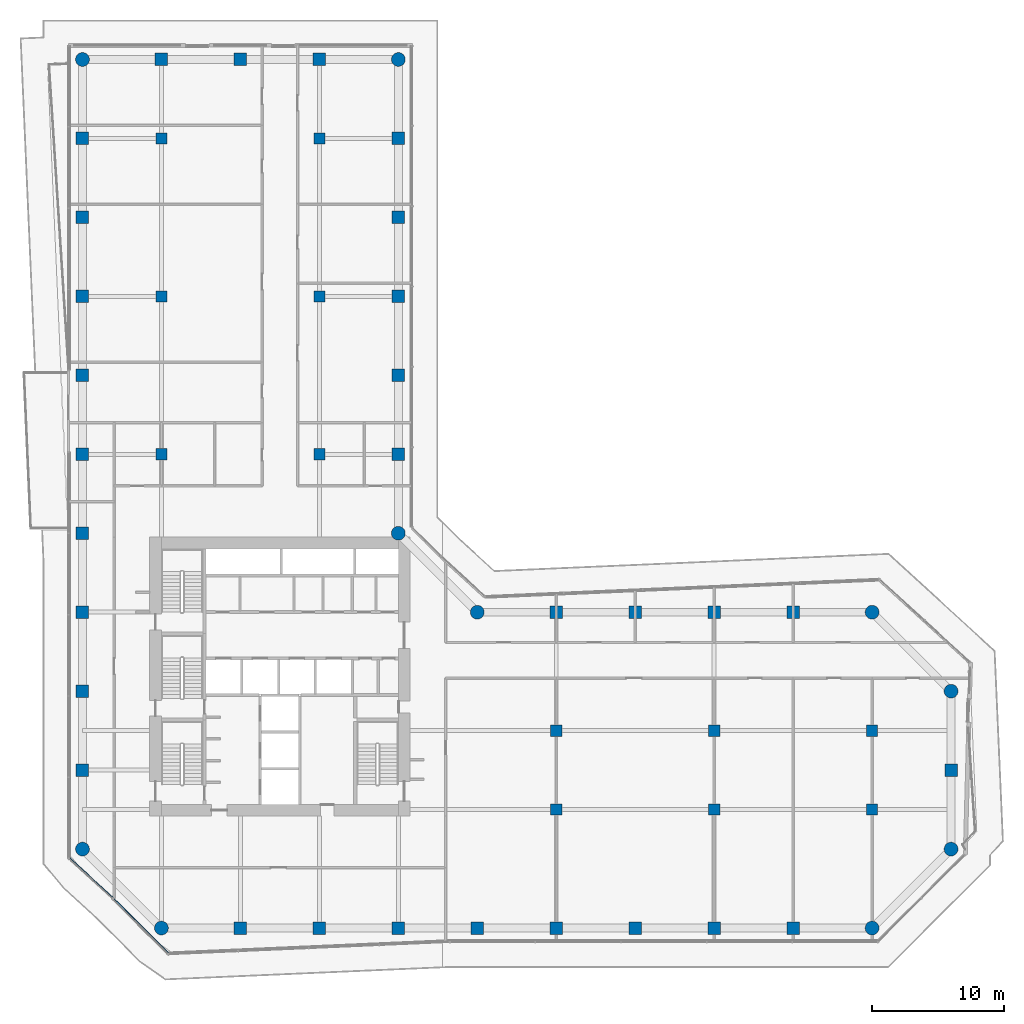
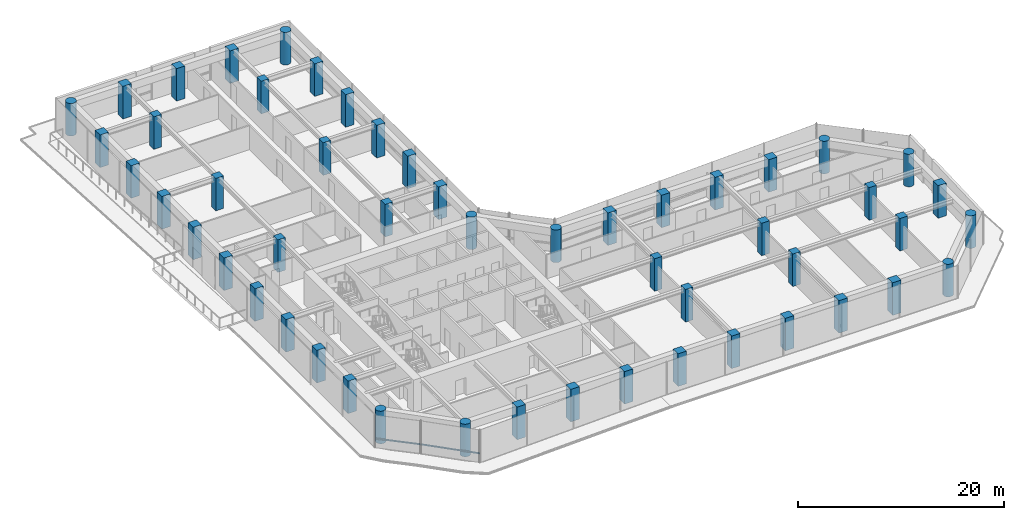
# One storey, part 1 of 29: 52 columns, 2 members, 2 elements without a shape of their own.
"""IFC4 building model written with IfcOpenShell, lengths in metres."""

import ifcopenshell
import ifcopenshell.guid

model = None  # the IFC model being written
_history = None  # IfcOwnerHistory: only IFC2X3 demands one
_inside = {}  # id of a spatial element -> (the spatial element, [elements in it])
_under = {}  # id of a project, library or spatial element -> (it, [spatial elements below it])
_declared = {}  # id of a project -> (the project, [libraries it declares])
_typed = {}  # id of a type object -> (the type object, [elements of that type])
_made_of = {}  # id of a material, layer set ... -> (it, [elements and type objects made of it])


def new_model(schema):
    """Start an empty IFC model of exactly this schema.

    Asked for "IFC4X3", IfcOpenShell would pick the latest addendum, in which some entities
    have other attributes; the version numbers below select the first issue.
    IFC2X3 requires an IfcOwnerHistory on every rooted entity: one is made here for all.
    """
    global model, _history
    if schema == "IFC4X3":
        model = ifcopenshell.file(schema_version=(4, 3, 0, 0))
    else:
        model = ifcopenshell.file(schema=schema)
    _inside.clear()
    _under.clear()
    _declared.clear()
    _typed.clear()
    _made_of.clear()
    _history = None
    if model.schema == "IFC2X3":
        org = make("IfcOrganization", Name="unknown")
        user = make(
            "IfcPersonAndOrganization",
            ThePerson=make("IfcPerson", FamilyName="unknown"),
            TheOrganization=org,
        )
        app = make(
            "IfcApplication",
            ApplicationDeveloper=org,
            Version="unknown",
            ApplicationFullName="unknown",
            ApplicationIdentifier="unknown",
        )
        _history = make(
            "IfcOwnerHistory",
            OwningUser=user,
            OwningApplication=app,
            ChangeAction="ADDED",
            CreationDate=0,
        )
    return model


def make(cls, **values):
    """One entity of the class cls with the attributes given. An attribute that is None is left unset."""
    return model.create_entity(
        cls, **{name: value for name, value in values.items() if value is not None}
    )


def rooted(cls, **values):
    """An entity with a GlobalId (a new one), such as an element, a storey or a relation."""
    return make(cls, GlobalId=ifcopenshell.guid.new(), OwnerHistory=_history, **values)


def si_unit(unit_type, name, prefix=None):
    """IfcSIUnit, for example si_unit("LENGTHUNIT", "METRE", prefix="MILLI")."""
    return make("IfcSIUnit", UnitType=unit_type, Prefix=prefix, Name=name)


def assignment(units):
    """IfcUnitAssignment: the units of a project."""
    return None if units is None else make("IfcUnitAssignment", Units=units)


def point(xyz):
    """IfcCartesianPoint."""
    return None if xyz is None else make("IfcCartesianPoint", Coordinates=xyz)


def direction(xyz):
    """IfcDirection."""
    return None if xyz is None else make("IfcDirection", DirectionRatios=xyz)


def frame(location, z_axis=None, x_axis=None):
    """IfcAxis2Placement3D, a coordinate frame: its origin and axes. An axis left out is left unset."""
    return make(
        "IfcAxis2Placement3D",
        Location=point(location),
        Axis=direction(z_axis),
        RefDirection=direction(x_axis),
    )


def frame_2d(location, x_axis=None):
    """IfcAxis2Placement2D, a coordinate frame in the plane: its origin and x axis."""
    return make(
        "IfcAxis2Placement2D", Location=point(location), RefDirection=direction(x_axis)
    )


def origin():
    """The frame at (0, 0, 0) with its axes left unset."""
    return frame((0.0, 0.0, 0.0))


def origin_2d():
    """The frame at (0, 0) in the plane with its x axis left unset."""
    return frame_2d((0.0, 0.0))


def place(relative_to, where):
    """IfcLocalPlacement: puts the frame where relative to a parent placement (None: the world)."""
    return make(
        "IfcLocalPlacement", PlacementRelTo=relative_to, RelativePlacement=where
    )


def context(
    kind, dimensions, precision=None, world=None, true_north=None, identifier=None
):
    """IfcGeometricRepresentationContext, for example the 3D "Model" context."""
    return make(
        "IfcGeometricRepresentationContext",
        ContextIdentifier=identifier,
        ContextType=kind,
        CoordinateSpaceDimension=dimensions,
        Precision=precision,
        WorldCoordinateSystem=world,
        TrueNorth=true_north,
    )


def subcontext(parent, identifier, kind, view, scale=None):
    """IfcGeometricRepresentationSubContext, for example "Body" below "Model"."""
    return make(
        "IfcGeometricRepresentationSubContext",
        ContextIdentifier=identifier,
        ContextType=kind,
        ParentContext=parent,
        TargetScale=scale,
        TargetView=view,
    )


def project(units=None, contexts=None):
    """IfcProject with its units and contexts."""
    return rooted(
        "IfcProject",
        Name="project",
        RepresentationContexts=contexts,
        UnitsInContext=assignment(units),
    )


def spatial(cls, under=None, at=None, **own):
    """A site, building, storey or space (cls), placed at a placement, below another one or the project."""
    s = rooted(cls, ObjectPlacement=at, **own)
    if under is not None:
        _under.setdefault(under.id(), (under, []))[1].append(s)
    return s


def profile(cls, at=None, kind="AREA", **sizes):
    """A parametric profile (cls). Its sizes go by their IFC names, for example OverallWidth=200.0."""
    return make(cls, ProfileType=kind, Position=at, **sizes)


def rectangle(**sizes):
    """IfcRectangleProfileDef."""
    return profile("IfcRectangleProfileDef", **sizes)


def circle(**sizes):
    """IfcCircleProfileDef."""
    return profile("IfcCircleProfileDef", **sizes)


def extrude(swept, where, along, depth):
    """IfcExtrudedAreaSolid: the profile swept, set in the frame where, extruded along a direction by depth."""
    return make(
        "IfcExtrudedAreaSolid",
        SweptArea=swept,
        Position=where,
        ExtrudedDirection=direction(along),
        Depth=depth,
    )


def shape(context_of_items, identifier, shape_type, items):
    """IfcShapeRepresentation: the items that make up one representation, for example the "Body"."""
    return make(
        "IfcShapeRepresentation",
        ContextOfItems=context_of_items,
        RepresentationIdentifier=identifier,
        RepresentationType=shape_type,
        Items=items,
    )


def material(Name=None, Category=None):
    """IfcMaterial."""
    return make("IfcMaterial", Name=Name, Category=Category)


def layer(
    of_material, thickness, ventilated=None, Name=None, Category=None, Priority=None
):
    """IfcMaterialLayer: one layer of a wall or slab, of a material (None: an air gap)."""
    return make(
        "IfcMaterialLayer",
        Material=of_material,
        LayerThickness=thickness,
        IsVentilated=ventilated,
        Name=Name,
        Category=Category,
        Priority=Priority,
    )


def layer_set(layers, Name=None):
    """IfcMaterialLayerSet."""
    return make("IfcMaterialLayerSet", MaterialLayers=layers, LayerSetName=Name)


def material_profile(
    of_material, cross_section, Name=None, Category=None, Priority=None
):
    """IfcMaterialProfile: a cross section and its material."""
    return make(
        "IfcMaterialProfile",
        Name=Name,
        Material=of_material,
        Profile=cross_section,
        Priority=Priority,
        Category=Category,
    )


def profile_set(profiles, Name=None, composite=None):
    """IfcMaterialProfileSet."""
    return make(
        "IfcMaterialProfileSet",
        Name=Name,
        MaterialProfiles=profiles,
        CompositeProfile=composite,
    )


def made_of(thing, what):
    """Note that an element or type object is made of a material, layer set ...; save() writes the relation."""
    if what is not None:
        _made_of.setdefault(what.id(), (what, []))[1].append(thing)
    return thing


def type_object(cls, material=None, **own):
    """A type object (cls), such as IfcWallType, which elements share."""
    return made_of(rooted(cls, **own), material)


def element(
    cls,
    number,
    at=None,
    inside=None,
    cuts=None,
    type_object=None,
    material=None,
    context=None,
    identifier="Body",
    shape_type=None,
    held_by="IfcProductDefinitionShape",
    body=None,
    shapes=None,
    **own,
):
    """One element of the class cls, such as IfcWall. Its Tag is "e" and its number.

    at: its placement. inside: the storey or other place that contains it. cuts: it is an
    opening in that element (IfcRelVoidsElement). A single representation is given by context,
    identifier, shape_type and body (its items); several are given by shapes. held_by: the class
    of the entity that holds the representations. save() writes the other relations.
    """
    e = rooted(cls, Tag="e%d" % number, ObjectPlacement=at, **own)
    if body is not None:
        shapes = [shape(context, identifier, shape_type, body)]
    if shapes is not None:
        e.Representation = make(held_by, Representations=shapes)
    if inside is not None:
        _inside.setdefault(inside.id(), (inside, []))[1].append(e)
    if cuts is not None:
        rooted(
            "IfcRelVoidsElement", RelatingBuildingElement=cuts, RelatedOpeningElement=e
        )
    if type_object is not None:
        _typed.setdefault(type_object.id(), (type_object, []))[1].append(e)
    return made_of(e, material)


def aggregate(whole, parts):
    """IfcRelAggregates: a whole, such as a stair, and the parts it consists of."""
    return rooted("IfcRelAggregates", RelatingObject=whole, RelatedObjects=parts)


def save(model, path):
    """Write the relations noted so far, then the file.

    IfcRelAggregates (storeys below a building ...), IfcRelContainedInSpatialStructure (elements
    in a storey), IfcRelDefinesByType, IfcRelAssociatesMaterial and IfcRelDeclares: one each for
    every whole, place, type object, material and project.
    """
    for whole, parts in _under.values():
        aggregate(whole, parts)
    for where, things in _inside.values():
        rooted(
            "IfcRelContainedInSpatialStructure",
            RelatedElements=things,
            RelatingStructure=where,
        )
    for kind, things in _typed.values():
        rooted("IfcRelDefinesByType", RelatedObjects=things, RelatingType=kind)
    for what, things in _made_of.values():
        rooted("IfcRelAssociatesMaterial", RelatedObjects=things, RelatingMaterial=what)
    for by, libraries in _declared.values():
        rooted("IfcRelDeclares", RelatingContext=by, RelatedDefinitions=libraries)
    model.write(path)


model = new_model("IFC4")

# Units and contexts
model_context = context("Model", 3, precision=1e-05, world=origin(), true_north=direction((0.0, 1.0)))
body_context = subcontext(model_context, "Body", "Model", "MODEL_VIEW")
ifc_project = project(units=[si_unit("LENGTHUNIT", "METRE"), si_unit("AREAUNIT", "SQUARE_METRE"), si_unit("VOLUMEUNIT", "CUBIC_METRE"), si_unit("PLANEANGLEUNIT", "RADIAN"), si_unit("MASSUNIT", "GRAM", prefix="KILO")], contexts=[model_context])

# Site, building, storey
site_placement = place(None, origin())
site = spatial("IfcSite", under=ifc_project, at=site_placement, CompositionType="ELEMENT")
building_placement = place(site_placement, origin())
building = spatial("IfcBuilding", under=site, at=building_placement, Name="Welwitschia Terrace Campus", CompositionType="ELEMENT")
storey_placement = place(building_placement, frame((0.0, 0.0, 62.60009765625)))
storey = spatial("IfcBuildingStorey", under=building, at=storey_placement, Name="L14", CompositionType="ELEMENT", Elevation=62.60009765625)

# Columns
ifc_material_1 = material(Name="Concrete C60/75", Category="concrete")
ifc_material_profile_1 = material_profile(ifc_material_1, circle(Radius=0.52490234375, at=origin_2d()))
ifc_profile_set_1 = profile_set([ifc_material_profile_1], Name="Concrete C60/75")
column_type_1 = type_object("IfcColumnType", Name="Corner column 1050 dia", PredefinedType="COLUMN", material=ifc_profile_set_1)
for number, where, z_axis, x_axis, name in (
    (1, (0.0, 2.0, 0.0), (0.0, 0.0, 1.0), (1.0, 0.0, 0.0), "Column C5"),
    (2, (0.0, 62.0, 0.0), (0.0, 0.0, 1.0), (1.0, 0.0, 0.0), "Column C5"),
    (3, (6.0, -4.0, 0.0), (0.0, 0.0, 1.0), (1.0, 0.0, 0.0), "Column C5"),
    (4, (24.0, 26.0, 0.0), (0.0, 0.0, 1.0), (1.0, 0.0, 0.0), "Column C5"),
    (5, (24.0, 62.0, 0.0), (0.0, 0.0, 1.0), (1.0, 0.0, 0.0), "Column C5"),
    (6, (30.0, 20.0, 0.0), (0.0, 0.0, 1.0), (1.0, 0.0, 0.0), "Column C5"),
    (7, (60.0, -4.0, 0.0), (0.0, 0.0, 1.0), (1.0, 0.0, 0.0), "Column C5"),
    (8, (60.0, 20.0, 0.0), (0.0, 0.0, 1.0), (1.0, 0.0, 0.0), "Column C5"),
    (9, (66.0, 2.0, 0.0), (0.0, 0.0, 1.0), (1.0, 0.0, 0.0), "Column C5"),
    (10, (66.0, 14.0, 0.0), (0.0, 0.0, 1.0), (1.0, 0.0, 0.0), "Column C5"),
):
    element("IfcColumn", number, at=place(storey_placement, frame(where, z_axis=z_axis, x_axis=x_axis)), inside=storey, type_object=column_type_1, Name=name, PredefinedType="COLUMN", context=body_context, shape_type="SweptSolid", body=[
        extrude(circle(Radius=0.52490234375, at=origin_2d()), origin(), (0.0, 0.0, 1.0), 3.849853515625),
    ])
ifc_material_2 = material(Name="Concrete C60/75", Category="concrete")
ifc_material_profile_2 = material_profile(ifc_material_2, rectangle(XDim=0.85009765625, YDim=0.85009765625, at=origin_2d()))
ifc_profile_set_2 = profile_set([ifc_material_profile_2], Name="Concrete C60/75")
column_type_2 = type_object("IfcColumnType", Name="Interior column 850x850", PredefinedType="COLUMN", material=ifc_profile_set_2)
for number, where, z_axis, x_axis, name in (
    (11, (6.0, 32.0, 0.0), (0.0, 0.0, 1.0), (1.0, 0.0, 0.0), "Column C7"),
    (12, (6.0, 44.0, 0.0), (0.0, 0.0, 1.0), (1.0, 0.0, 0.0), "Column C7"),
    (13, (6.0, 56.0, 0.0), (0.0, 0.0, 1.0), (1.0, 0.0, 0.0), "Column C7"),
    (14, (18.0, 32.0, 0.0), (0.0, 0.0, 1.0), (1.0, 0.0, 0.0), "Column C7"),
    (15, (18.0, 44.0, 0.0), (0.0, 0.0, 1.0), (1.0, 0.0, 0.0), "Column C7"),
    (16, (18.0, 56.0, 0.0), (0.0, 0.0, 1.0), (1.0, 0.0, 0.0), "Column C7"),
    (17, (36.0, 5.0, 0.0), (0.0, 0.0, 1.0), (1.0, 0.0, 0.0), "Column C7"),
    (18, (36.0, 11.0, 0.0), (0.0, 0.0, 1.0), (1.0, 0.0, 0.0), "Column C7"),
    (19, (48.0, 5.0, 0.0), (0.0, 0.0, 1.0), (1.0, 0.0, 0.0), "Column C7"),
    (20, (48.0, 11.0, 0.0), (0.0, 0.0, 1.0), (1.0, 0.0, 0.0), "Column C7"),
    (21, (60.0, 5.0, 0.0), (0.0, 0.0, 1.0), (1.0, 0.0, 0.0), "Column C7"),
    (22, (60.0, 11.0, 0.0), (0.0, 0.0, 1.0), (1.0, 0.0, 0.0), "Column C7"),
):
    element("IfcColumn", number, at=place(storey_placement, frame(where, z_axis=z_axis, x_axis=x_axis)), inside=storey, type_object=column_type_2, Name=name, PredefinedType="COLUMN", context=body_context, shape_type="SweptSolid", body=[
        extrude(rectangle(XDim=0.85009765625, YDim=0.85009765625, at=origin_2d()), origin(), (0.0, 0.0, 1.0), 3.849853515625),
    ])
ifc_material_3 = material(Name="Concrete C60/75", Category="concrete")
ifc_material_profile_3 = material_profile(ifc_material_3, rectangle(XDim=0.949951171875, YDim=0.949951171875, at=origin_2d()))
ifc_profile_set_3 = profile_set([ifc_material_profile_3], Name="Concrete C60/75")
column_type_3 = type_object("IfcColumnType", Name="Ring column 950x950", PredefinedType="COLUMN", material=ifc_profile_set_3)
for number, where, z_axis, x_axis, name in (
    (23, (0.0, 8.0, 0.0), (0.0, 0.0, 1.0), (1.0, 0.0, 0.0), "Column C6"),
    (24, (0.0, 14.0, 0.0), (0.0, 0.0, 1.0), (1.0, 0.0, 0.0), "Column C6"),
    (25, (0.0, 20.0, 0.0), (0.0, 0.0, 1.0), (1.0, 0.0, 0.0), "Column C6"),
    (26, (0.0, 26.0, 0.0), (0.0, 0.0, 1.0), (1.0, 0.0, 0.0), "Column C6"),
    (27, (0.0, 32.0, 0.0), (0.0, 0.0, 1.0), (1.0, 0.0, 0.0), "Column C6"),
    (28, (0.0, 38.0, 0.0), (0.0, 0.0, 1.0), (1.0, 0.0, 0.0), "Column C6"),
    (29, (0.0, 44.0, 0.0), (0.0, 0.0, 1.0), (1.0, 0.0, 0.0), "Column C6"),
    (30, (0.0, 50.0, 0.0), (0.0, 0.0, 1.0), (1.0, 0.0, 0.0), "Column C6"),
    (31, (0.0, 56.0, 0.0), (0.0, 0.0, 1.0), (1.0, 0.0, 0.0), "Column C6"),
    (32, (6.0, 62.0, 0.0), (0.0, 0.0, 1.0), (1.0, 0.0, 0.0), "Column C6"),
    (33, (12.0, -4.0, 0.0), (0.0, 0.0, 1.0), (1.0, 0.0, 0.0), "Column C6"),
    (34, (12.0, 62.0, 0.0), (0.0, 0.0, 1.0), (1.0, 0.0, 0.0), "Column C6"),
    (35, (18.0, -4.0, 0.0), (0.0, 0.0, 1.0), (1.0, 0.0, 0.0), "Column C6"),
    (36, (18.0, 62.0, 0.0), (0.0, 0.0, 1.0), (1.0, 0.0, 0.0), "Column C6"),
    (37, (24.0, -4.0, 0.0), (0.0, 0.0, 1.0), (1.0, 0.0, 0.0), "Column C6"),
    (38, (24.0, 32.0, 0.0), (0.0, 0.0, 1.0), (1.0, 0.0, 0.0), "Column C6"),
    (39, (24.0, 38.0, 0.0), (0.0, 0.0, 1.0), (1.0, 0.0, 0.0), "Column C6"),
    (40, (24.0, 44.0, 0.0), (0.0, 0.0, 1.0), (1.0, 0.0, 0.0), "Column C6"),
    (41, (24.0, 50.0, 0.0), (0.0, 0.0, 1.0), (1.0, 0.0, 0.0), "Column C6"),
    (42, (24.0, 56.0, 0.0), (0.0, 0.0, 1.0), (1.0, 0.0, 0.0), "Column C6"),
    (43, (30.0, -4.0, 0.0), (0.0, 0.0, 1.0), (1.0, 0.0, 0.0), "Column C6"),
    (44, (36.0, -4.0, 0.0), (0.0, 0.0, 1.0), (1.0, 0.0, 0.0), "Column C6"),
    (45, (36.0, 20.0, 0.0), (0.0, 0.0, 1.0), (1.0, 0.0, 0.0), "Column C6"),
    (46, (42.0, -4.0, 0.0), (0.0, 0.0, 1.0), (1.0, 0.0, 0.0), "Column C6"),
    (47, (42.0, 20.0, 0.0), (0.0, 0.0, 1.0), (1.0, 0.0, 0.0), "Column C6"),
    (48, (48.0, -4.0, 0.0), (0.0, 0.0, 1.0), (1.0, 0.0, 0.0), "Column C6"),
    (49, (48.0, 20.0, 0.0), (0.0, 0.0, 1.0), (1.0, 0.0, 0.0), "Column C6"),
    (50, (54.0, -4.0, 0.0), (0.0, 0.0, 1.0), (1.0, 0.0, 0.0), "Column C6"),
    (51, (54.0, 20.0, 0.0), (0.0, 0.0, 1.0), (1.0, 0.0, 0.0), "Column C6"),
    (52, (66.0, 8.0, 0.0), (0.0, 0.0, 1.0), (1.0, 0.0, 0.0), "Column C6"),
):
    element("IfcColumn", number, at=place(storey_placement, frame(where, z_axis=z_axis, x_axis=x_axis)), inside=storey, type_object=column_type_3, Name=name, PredefinedType="COLUMN", context=body_context, shape_type="SweptSolid", body=[
        extrude(rectangle(XDim=0.949951171875, YDim=0.949951171875, at=origin_2d()), origin(), (0.0, 0.0, 1.0), 3.849853515625),
    ])

# Curtain wall, member
ifc_material_4 = material(Name="Bronze anodised aluminium", Category="aluminium")
ifc_layer = layer(ifc_material_4, 0.1201171875)
ifc_layer_set = layer_set([ifc_layer], Name="Bronze anodised aluminium")
curtain_wall_type = type_object("IfcCurtainWallType", Name="Curtain wall CW2 tower 6000", PredefinedType="NOTDEFINED", material=ifc_layer_set)
curtain_wall_1_placement = place(storey_placement, origin())
curtain_wall_1 = element("IfcCurtainWall", 53, at=curtain_wall_1_placement, inside=storey, type_object=curtain_wall_type, Name="CW L14.0.0", PredefinedType="NOTDEFINED")
ifc_material_5 = material(Name="Bronze anodised aluminium", Category="aluminium")
ifc_material_profile_4 = material_profile(ifc_material_5, rectangle(XDim=0.06005859375, YDim=0.14990234375, at=origin_2d()))
ifc_profile_set_4 = profile_set([ifc_material_profile_4], Name="Bronze anodised aluminium")
member_type = type_object("IfcMemberType", Name="Transom 60x150", PredefinedType="USERDEFINED", material=ifc_profile_set_4)
member_1_placement = place(storey_placement, frame((-0.952880859375, 1.306640625, 1.0), z_axis=(0.737259234152, -0.675609962669, 0.0), x_axis=(0.675609962669, 0.737259234152, 0.0)))
member_1 = element("IfcMember", 54, at=member_1_placement, type_object=member_type, Name="Transom L14.0.0", ObjectType="TRANSOM", PredefinedType="USERDEFINED", context=body_context, shape_type="SweptSolid", body=[
    extrude(rectangle(XDim=0.06005859375, YDim=0.14990234375, at=origin_2d()), origin(), (0.0, 0.0, 1.0), 4.435302734375),
])
aggregate(curtain_wall_1, [member_1])

curtain_wall_2_placement = place(storey_placement, origin())
curtain_wall_2 = element("IfcCurtainWall", 55, at=curtain_wall_2_placement, inside=storey, type_object=curtain_wall_type, Name="CW L14.1.0", PredefinedType="NOTDEFINED")
member_2_placement = place(storey_placement, frame((2.406494140625, -1.775634765625, 1.0), z_axis=(0.707127776355, -0.707085785395, 0.0), x_axis=(0.707085785395, 0.707127776355, 0.0)))
member_2 = element("IfcMember", 56, at=member_2_placement, type_object=member_type, Name="Transom L14.1.0", ObjectType="TRANSOM", PredefinedType="USERDEFINED", context=body_context, shape_type="SweptSolid", body=[
    extrude(rectangle(XDim=0.06005859375, YDim=0.14990234375, at=origin_2d()), origin(), (0.0, 0.0, 1.0), 5.814208984375),
])
aggregate(curtain_wall_2, [member_2])

save(model, "model.ifc")
